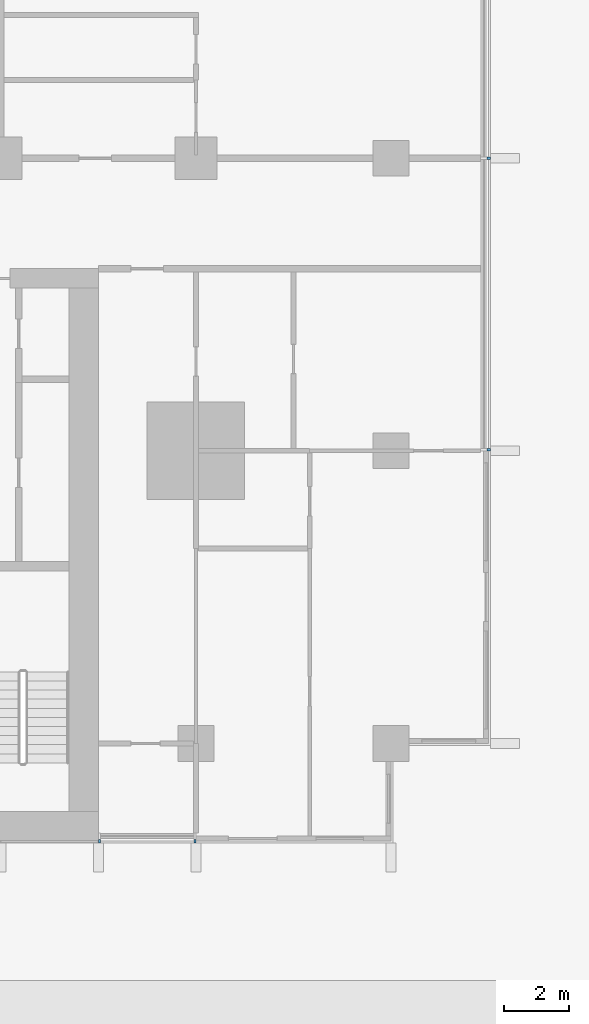
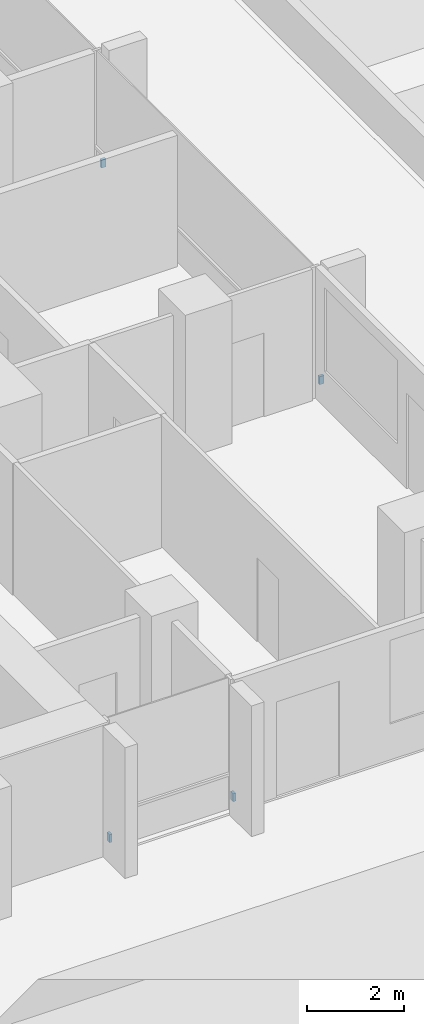
# One storey, part 20 of 25: 4 discrete accessories.
"""IFC4 building model written with IfcOpenShell, lengths in metres."""

from ifc_helpers import new_model, si_unit, direction, frame, origin, origin_2d, place, context, subcontext, project, spatial, rectangle, extrude, material, type_object, element, save


model = new_model("IFC4")

# Units and contexts
model_context = context("Model", 3, precision=1e-05, world=origin(), true_north=direction((0.0, 1.0)))
body_context = subcontext(model_context, "Body", "Model", "MODEL_VIEW")
ifc_project = project(units=[si_unit("LENGTHUNIT", "METRE"), si_unit("AREAUNIT", "SQUARE_METRE"), si_unit("VOLUMEUNIT", "CUBIC_METRE"), si_unit("PLANEANGLEUNIT", "RADIAN"), si_unit("MASSUNIT", "GRAM", prefix="KILO")], contexts=[model_context])

# Site, building, storey
site_placement = place(None, origin())
site = spatial("IfcSite", under=ifc_project, at=site_placement, CompositionType="ELEMENT")
building_placement = place(site_placement, origin())
building = spatial("IfcBuilding", under=site, at=building_placement, Name="Finial Court Residences", CompositionType="ELEMENT")
storey_placement = place(building_placement, frame((0.0, 0.0, 32.5)))
storey = spatial("IfcBuildingStorey", under=building, at=storey_placement, Name="L06", CompositionType="ELEMENT", Elevation=32.5)

# Discrete accessories
ifc_material = material(Name="Stainless steel 316", Category="steel")
discrete_accessory_type = type_object("IfcDiscreteAccessoryType", Name="Fin bracket, stainless steel 65 x 110 x 200", PredefinedType="BRACKET", material=ifc_material)
for number, where, z_axis, x_axis, name in (
    (1, (25.5048828125, -13.467529296875, 0.2998046875), (0.0, 0.0, 1.0), (1.0, 0.0, 0.0), "E-L06-FIN-E10-BRK"),
    (2, (25.5048828125, -4.5, 0.2998046875), (0.0, 0.0, 1.0), (1.0, 0.0, 0.0), "E-L06-FIN-E11-BRK"),
):
    element("IfcDiscreteAccessory", number, at=place(storey_placement, frame(where, z_axis=z_axis, x_axis=x_axis)), inside=storey, type_object=discrete_accessory_type, Name=name, PredefinedType="BRACKET", context=body_context, shape_type="SweptSolid", body=[
        extrude(rectangle(XDim=0.110107421875, YDim=0.06494140625, at=origin_2d()), origin(), (0.0, 0.0, 1.0), 0.199951171875),
    ])
for number, where, z_axis, x_axis, name in (
    (3, (13.532470703125, -25.5048828125, 0.2998046875), (0.0, 0.0, 1.0), (1.0, 0.0, 0.0), "E-L06-FIN-S24-BRK"),
    (4, (16.467529296875, -25.5048828125, 0.2998046875), (0.0, 0.0, 1.0), (1.0, 0.0, 0.0), "E-L06-FIN-S25-BRK"),
):
    element("IfcDiscreteAccessory", number, at=place(storey_placement, frame(where, z_axis=z_axis, x_axis=x_axis)), inside=storey, type_object=discrete_accessory_type, Name=name, PredefinedType="BRACKET", context=body_context, shape_type="SweptSolid", body=[
        extrude(rectangle(XDim=0.06494140625, YDim=0.110107421875, at=origin_2d()), origin(), (0.0, 0.0, 1.0), 0.199951171875),
    ])

save(model, "model.ifc")
